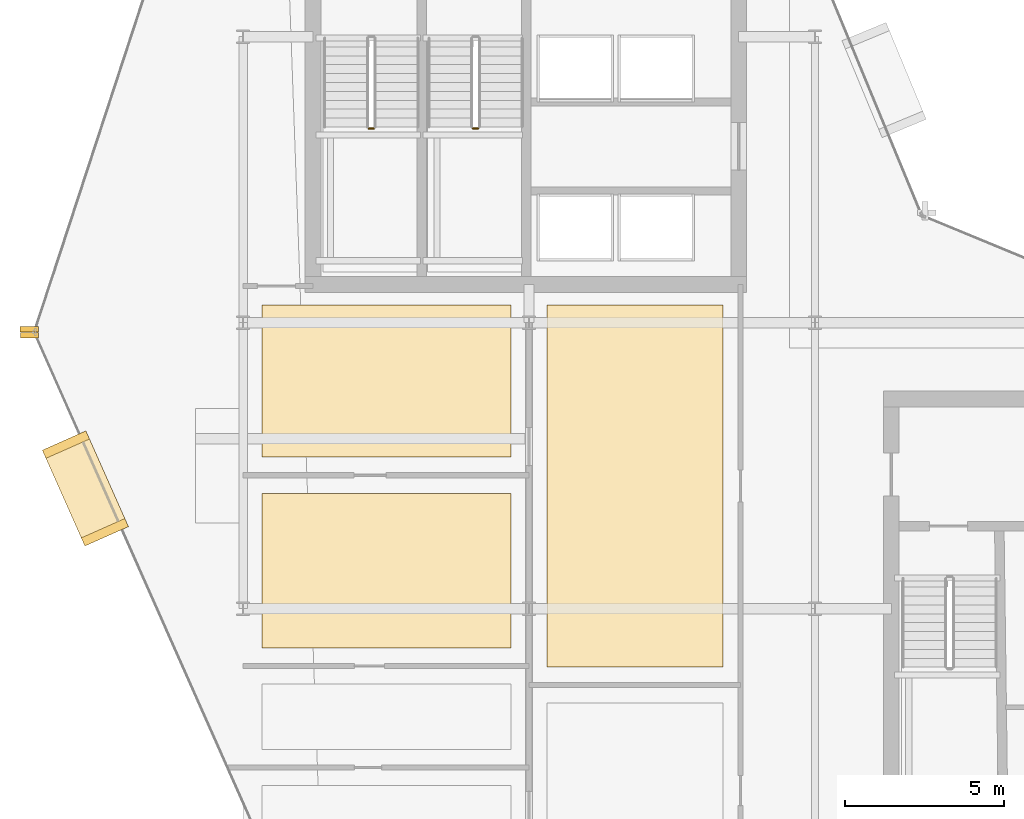
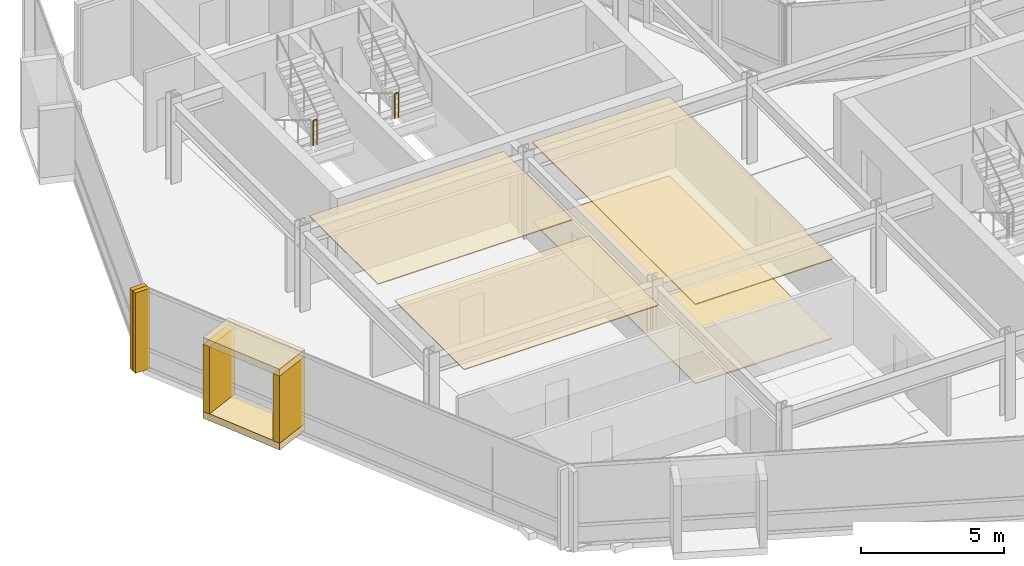
# One storey, part 23 of 27: 10 coverings, 2 railings.
"""IFC4 building model written with IfcOpenShell, lengths in metres."""

from ifc_helpers import new_model, si_unit, direction, frame, origin, origin_2d, place, context, subcontext, project, spatial, polyline, rectangle, circle, outline, extrude, material, layer, layer_set, type_object, element, save


model = new_model("IFC4")

# Units and contexts
model_context = context("Model", 3, precision=1e-05, world=origin(), true_north=direction((0.0, 1.0)))
body_context = subcontext(model_context, "Body", "Model", "MODEL_VIEW")
ifc_project = project(units=[si_unit("LENGTHUNIT", "METRE"), si_unit("AREAUNIT", "SQUARE_METRE"), si_unit("VOLUMEUNIT", "CUBIC_METRE"), si_unit("PLANEANGLEUNIT", "RADIAN"), si_unit("MASSUNIT", "GRAM", prefix="KILO")], contexts=[model_context])

# Site, building, storey
site_placement = place(None, origin())
site = spatial("IfcSite", under=ifc_project, at=site_placement, CompositionType="ELEMENT")
building_placement = place(site_placement, origin())
building = spatial("IfcBuilding", under=site, at=building_placement, Name="Solvaryn Broadcast Tower", CompositionType="ELEMENT")
storey_placement = place(building_placement, frame((0.0, 0.0, 177.89990234375)))
storey = spatial("IfcBuildingStorey", under=building, at=storey_placement, Name="L44", CompositionType="ELEMENT", Elevation=177.89990234375)

# Coverings
ifc_material_1 = material(Name="Micro-Perforated Acoustic Gypsum Ceiling", Category="concrete")
ifc_layer_1 = layer(ifc_material_1, 0.0400390625)
ifc_layer_set_1 = layer_set([ifc_layer_1], Name="CV-CEIL-ACOUSTIC")
covering_type_1 = type_object("IfcCoveringType", Name="CV-CEIL-ACOUSTIC", PredefinedType="CEILING", material=ifc_layer_set_1)
covering_1_placement = place(storey_placement, frame((0.0, 0.0, 3.380126953125)))
element("IfcCovering", 1, at=covering_1_placement, inside=storey, type_object=covering_type_1, Name="L44 Room Acoustic Ceiling 2", PredefinedType="CEILING", context=body_context, shape_type="SweptSolid", body=[
    extrude(outline(polyline([(18.570068359375, 16.169921875), (24.10009765625, 16.169921875), (24.10009765625, 27.56005859375), (18.570068359375, 27.56005859375), (18.570068359375, 16.169921875)])), origin(), (0.0, 0.0, 1.0), 0.0400390625),
])
covering_2_placement = place(storey_placement, frame((0.0, 0.0, 3.380126953125)))
element("IfcCovering", 2, at=covering_2_placement, inside=storey, type_object=covering_type_1, Name="L44 Room Acoustic Ceiling 5", PredefinedType="CEILING", context=body_context, shape_type="SweptSolid", body=[
    extrude(outline(polyline([(9.60009765625, 16.77001953125), (17.429931640625, 16.77001953125), (17.429931640625, 21.6298828125), (9.60009765625, 21.6298828125), (9.60009765625, 16.77001953125)])), origin(), (0.0, 0.0, 1.0), 0.0400390625),
])
covering_3_placement = place(storey_placement, frame((0.0, 0.0, 3.380126953125)))
element("IfcCovering", 3, at=covering_3_placement, inside=storey, type_object=covering_type_1, Name="L44 Room Acoustic Ceiling 6", PredefinedType="CEILING", context=body_context, shape_type="SweptSolid", body=[
    extrude(outline(polyline([(9.60009765625, 22.77001953125), (17.429931640625, 22.77001953125), (17.429931640625, 27.56005859375), (9.60009765625, 27.56005859375), (9.60009765625, 22.77001953125)])), origin(), (0.0, 0.0, 1.0), 0.0400390625),
])
ifc_material_2 = material(Name="Newsroom Raised Data Access Flooring", Category="steel")
ifc_layer_2 = layer(ifc_material_2, 0.050048828125)
ifc_layer_set_2 = layer_set([ifc_layer_2], Name="CV-FLOOR-RAISED")
covering_type_2 = type_object("IfcCoveringType", Name="CV-FLOOR-RAISED", PredefinedType="FLOORING", material=ifc_layer_set_2)
covering_4_placement = place(storey_placement, origin())
element("IfcCovering", 4, at=covering_4_placement, inside=storey, type_object=covering_type_2, Name="L44 Room Acoustic Floor Finish 2", PredefinedType="FLOORING", context=body_context, shape_type="SweptSolid", body=[
    extrude(outline(polyline([(18.570068359375, 16.169921875), (24.10009765625, 16.169921875), (24.10009765625, 27.56005859375), (18.570068359375, 27.56005859375), (18.570068359375, 16.169921875)])), origin(), (0.0, 0.0, 1.0), 0.050048828125),
])
ifc_material_3 = material(Name="Glazed Architectural Terracotta Rainscreen Cladding", Category="masonry")
ifc_layer_3 = layer(ifc_material_3, 0.280029296875)
ifc_layer_set_3 = layer_set([ifc_layer_3], Name="CV-TC-CLAD")
covering_type_3 = type_object("IfcCoveringType", Name="CV-TC-CLAD", PredefinedType="CLADDING", material=ifc_layer_set_3)
for number, where, z_axis, x_axis, name in (
    (5, (4.0390625, 21.784912109375, 3.1298828125), (0.0, 0.0, 1.0), (0.405939269498, -0.913900054426, 0.0), "L44 Projecting Stone Window Box Hood 2"),
    (6, (4.0390625, 21.784912109375, -0.009765625), (0.0, 0.0, 1.0), (0.405939269498, -0.913900054426, 0.0), "L44 Projecting Stone Window Box Sill 2"),
):
    element("IfcCovering", number, at=place(storey_placement, frame(where, z_axis=z_axis, x_axis=x_axis)), inside=storey, type_object=covering_type_3, Name=name, PredefinedType="CLADDING", context=body_context, shape_type="SweptSolid", body=[
        extrude(rectangle(XDim=3.300048828125, YDim=1.5, at=origin_2d()), origin(), (0.0, 0.0, 1.0), 0.300048828125),
    ])
for number, where, z_axis, x_axis, name in (
    (7, (3.426025390625, 23.1650390625, 0.2802734375), (0.0, 0.0, 1.0), (0.405939269498, -0.913900054426, 0.0), "L44 Projecting Stone Window Box Cheek 2-1"),
    (8, (4.652099609375, 20.405029296875, 0.2802734375), (0.0, 0.0, 1.0), (0.405939269498, -0.913900054426, 0.0), "L44 Projecting Stone Window Box Cheek 2-2"),
):
    element("IfcCovering", number, at=place(storey_placement, frame(where, z_axis=z_axis, x_axis=x_axis)), inside=storey, type_object=covering_type_3, Name=name, PredefinedType="CLADDING", context=body_context, shape_type="SweptSolid", body=[
        extrude(rectangle(XDim=0.280029296875, YDim=1.5, at=origin_2d()), origin(), (0.0, 0.0, 1.0), 2.860107421875),
    ])
ifc_material_4 = material(Name="Extruded Architectural Terracotta Fin", Category="masonry")
ifc_layer_4 = layer(ifc_material_4, 0.179931640625)
ifc_layer_set_4 = layer_set([ifc_layer_4], Name="CV-TC-FIN")
covering_type_4 = type_object("IfcCoveringType", Name="CV-TC-FIN", PredefinedType="USERDEFINED", material=ifc_layer_set_4)
for number, where, z_axis, x_axis, name in (
    (9, (2.271240234375, 26.790771484375, 0.000244140625), (0.0, 0.0, 1.0), (1.0, 0.0, 0.0), "L44 Terracotta Vertical Fin FIN-L44-DR1-M01"),
    (10, (2.281005859375, 26.605712890625, 0.000244140625), (0.0, 0.0, 1.0), (1.0, 0.0, 0.0), "L44 Terracotta Vertical Fin FIN-L44-DR2-M00"),
):
    element("IfcCovering", number, at=place(storey_placement, frame(where, z_axis=z_axis, x_axis=x_axis)), inside=storey, type_object=covering_type_4, Name=name, ObjectType="FIN", PredefinedType="USERDEFINED", context=body_context, shape_type="SweptSolid", body=[
        extrude(rectangle(XDim=0.580078125, YDim=0.179931640625, at=origin_2d()), origin(), (0.0, 0.0, 1.0), 3.419921875),
    ])

# Railings
ifc_material_5 = material(Name="Painted Steel Stair Well Guard", Category="steel")
railing_type = type_object("IfcRailingType", Name="RL-STAIR-GUARD", PredefinedType="BALUSTRADE", material=ifc_material_5)
railing_1_placement = place(storey_placement, frame((12.9599609375, 33.110107421875, 1.85009765625)))
element("IfcRailing", 11, at=railing_1_placement, inside=storey, type_object=railing_type, Name="L44 ST1 stair guard 2", PredefinedType="BALUSTRADE", context=body_context, shape_type="SweptSolid", body=[
    extrude(circle(Radius=0.02392578125, at=origin_2d()), frame((0.0, 0.0, 1.076171875), z_axis=(1.0, 0.0, 0.0), x_axis=(0.0, 1.0, 0.0)), (0.0, 0.0, 1.0), 0.150146484375),
    extrude(circle(Radius=0.02099609375, at=origin_2d()), origin(), (0.0, 0.0, 1.0), 1.052001953125),
    extrude(circle(Radius=0.02099609375, at=origin_2d()), frame((0.150146484375, 0.0, 0.0)), (0.0, 0.0, 1.0), 1.052001953125),
])
railing_2_placement = place(storey_placement, frame((16.239990234375, 33.110107421875, 1.85009765625)))
element("IfcRailing", 12, at=railing_2_placement, inside=storey, type_object=railing_type, Name="L44 ST2 stair guard 2", PredefinedType="BALUSTRADE", context=body_context, shape_type="SweptSolid", body=[
    extrude(circle(Radius=0.02392578125, at=origin_2d()), frame((0.0, 0.0, 1.076171875), z_axis=(1.0, 0.0, 0.0), x_axis=(0.0, 1.0, 0.0)), (0.0, 0.0, 1.0), 0.14990234375),
    extrude(circle(Radius=0.02099609375, at=origin_2d()), origin(), (0.0, 0.0, 1.0), 1.052001953125),
    extrude(circle(Radius=0.02099609375, at=origin_2d()), frame((0.14990234375, 0.0, 0.0)), (0.0, 0.0, 1.0), 1.052001953125),
])

save(model, "model.ifc")
